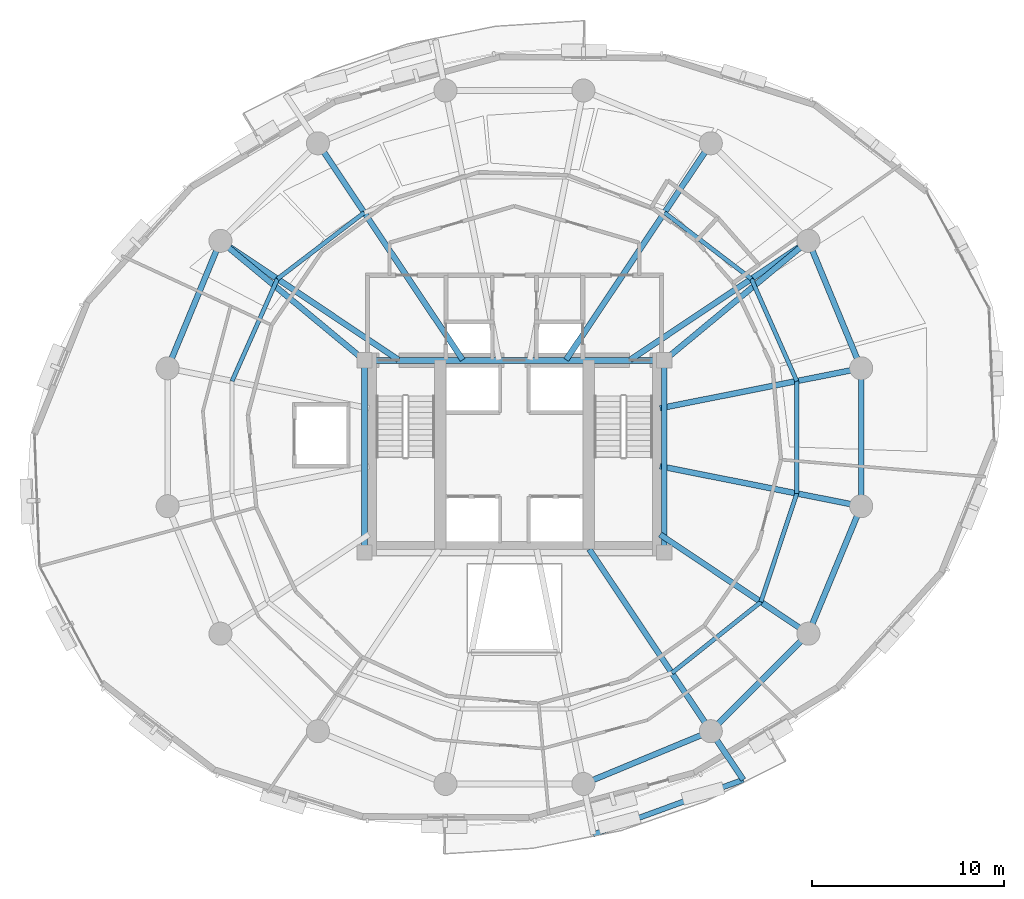
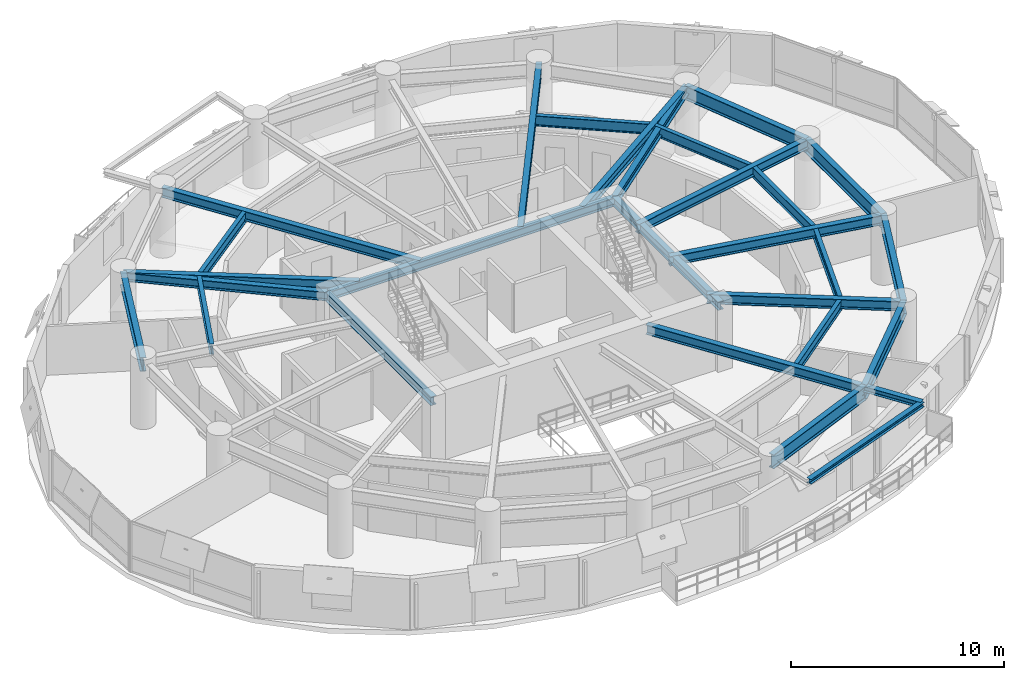
# One storey, part 5 of 15: 28 beams.
"""IFC4 building model written with IfcOpenShell, lengths in metres."""

from ifc_helpers import new_model, si_unit, direction, frame, origin, origin_2d, place, context, subcontext, project, spatial, i_section, extrude, material, material_profile, profile_set, type_object, element, save


model = new_model("IFC4")

# Units and contexts
model_context = context("Model", 3, precision=1e-05, world=origin(), true_north=direction((0.0, 1.0)))
body_context = subcontext(model_context, "Body", "Model", "MODEL_VIEW")
ifc_project = project(units=[si_unit("LENGTHUNIT", "METRE"), si_unit("AREAUNIT", "SQUARE_METRE"), si_unit("VOLUMEUNIT", "CUBIC_METRE"), si_unit("PLANEANGLEUNIT", "RADIAN"), si_unit("MASSUNIT", "GRAM", prefix="KILO"), si_unit("THERMODYNAMICTEMPERATUREUNIT", "KELVIN"), si_unit("POWERUNIT", "WATT")], contexts=[model_context])

# Site, building, storey
site_placement = place(None, origin())
site = spatial("IfcSite", under=ifc_project, at=site_placement, CompositionType="ELEMENT")
building_placement = place(site_placement, origin())
building = spatial("IfcBuilding", under=site, at=building_placement, Name="Ocrelia Relay Tower", CompositionType="ELEMENT")
storey_placement = place(building_placement, frame((0.0, 0.0, 97.800048828125)))
storey = spatial("IfcBuildingStorey", under=building, at=storey_placement, Name="L22", CompositionType="ELEMENT", Elevation=97.800048828125)

# Beams
ifc_material = material(Name="Steel S355", Category="steel")
ifc_material_profile_1 = material_profile(ifc_material, i_section(OverallWidth=0.280029296875, OverallDepth=0.27001953125, WebThickness=0.008056640625, FlangeThickness=0.012939453125, FilletRadius=0.02392578125, at=origin_2d()), Name="HEA 280")
ifc_profile_set_1 = profile_set([ifc_material_profile_1], Name="Steel S355")
beam_type_1 = type_object("IfcBeamType", Name="BM-HEA280", PredefinedType="BEAM", material=ifc_profile_set_1)
beam_1_placement = place(storey_placement, frame((38.1123046875, 5.325927734375, 3.5849609375), z_axis=(0.939316865284, 0.343050763873, 0.0), x_axis=(-0.343050763873, 0.939316865284, 0.0)))
element("IfcBeam", 1, at=beam_1_placement, inside=storey, type_object=beam_type_1, Name="L23 Balcony Edge Trimmer Beam B2", PredefinedType="BEAM", context=body_context, shape_type="SweptSolid", body=[
    extrude(i_section(OverallWidth=0.280029296875, OverallDepth=0.27001953125, WebThickness=0.008056640625, FlangeThickness=0.012939453125, FilletRadius=0.02392578125, at=origin_2d()), origin(), (0.0, 0.0, 1.0), 8.302490234375),
])
ifc_material_profile_2 = material_profile(ifc_material, i_section(OverallWidth=0.300048828125, OverallDepth=0.330078125, WebThickness=0.009521484375, FlangeThickness=0.0166015625, FilletRadius=0.027099609375, at=origin_2d()), Name="HEA 340")
ifc_profile_set_2 = profile_set([ifc_material_profile_2], Name="Steel S355")
beam_type_2 = type_object("IfcBeamType", Name="BM-HEA340", PredefinedType="BEAM", material=ifc_profile_set_2)
beam_2_placement = place(storey_placement, frame((44.222412109375, 10.700927734375, 3.554931640625), z_axis=(0.5555897322, -0.831456583036, 0.0), x_axis=(0.831456583036, 0.5555897322, 0.0)))
element("IfcBeam", 2, at=beam_2_placement, inside=storey, type_object=beam_type_2, Name="L23 Balcony Cantilever Beam B2-2", PredefinedType="BEAM", context=body_context, shape_type="SweptSolid", body=[
    extrude(i_section(OverallWidth=0.300048828125, OverallDepth=0.330078125, WebThickness=0.009521484375, FlangeThickness=0.0166015625, FilletRadius=0.027099609375, at=origin_2d()), origin(), (0.0, 0.0, 1.0), 3.0390625),
])
ifc_material_profile_3 = material_profile(ifc_material, i_section(OverallWidth=0.300048828125, OverallDepth=0.5, WebThickness=0.014404296875, FlangeThickness=0.028076171875, FilletRadius=0.027099609375, at=origin_2d()), Name="HEB 500")
ifc_profile_set_3 = profile_set([ifc_material_profile_3], Name="Steel S355")
beam_type_3 = type_object("IfcBeamType", Name="BM-HEB500", PredefinedType="BEAM", material=ifc_profile_set_3)
beam_3_placement = place(storey_placement, frame((26.199951171875, 30.0, 3.469970703125), z_axis=(1.0, 0.0, 0.0), x_axis=(0.0, 1.0, 0.0)))
element("IfcBeam", 3, at=beam_3_placement, inside=storey, type_object=beam_type_3, Name="L22 Core Pilaster Tie Beam N", PredefinedType="BEAM", context=body_context, shape_type="SweptSolid", body=[
    extrude(i_section(OverallWidth=0.300048828125, OverallDepth=0.5, WebThickness=0.014404296875, FlangeThickness=0.028076171875, FilletRadius=0.027099609375, at=origin_2d()), origin(), (0.0, 0.0, 1.0), 15.60009765625),
])
for number, where, z_axis, x_axis, name in (
    (4, (26.199951171875, 20.0, 3.469970703125), (0.0, 1.0, 0.0), (-1.0, 0.0, 0.0), "L22 Core Pilaster Tie Beam W"),
    (5, (41.800048828125, 20.0, 3.469970703125), (0.0, 1.0, 0.0), (-1.0, 0.0, 0.0), "L22 Core Pilaster Tie Beam E"),
):
    element("IfcBeam", number, at=place(storey_placement, frame(where, z_axis=z_axis, x_axis=x_axis)), inside=storey, type_object=beam_type_3, Name=name, PredefinedType="BEAM", context=body_context, shape_type="SweptSolid", body=[
        extrude(i_section(OverallWidth=0.300048828125, OverallDepth=0.5, WebThickness=0.014404296875, FlangeThickness=0.028076171875, FilletRadius=0.027099609375, at=origin_2d()), origin(), (0.0, 0.0, 1.0), 10.0),
    ])
for number, where, z_axis, x_axis, name in (
    (6, (49.299072265625, 36.222412109375, 3.469970703125), (-0.769570862751, -0.638561420072, 0.0), (0.638561420072, -0.769570862751, 0.0), "L22 Core Pilaster Frame Tie Beam PT02"),
    (7, (18.700927734375, 36.222412109375, 3.469970703125), (0.769570862751, -0.638561420072, 0.0), (0.638561420072, 0.769570862751, 0.0), "L22 Core Pilaster Frame Tie Beam PT07"),
):
    element("IfcBeam", number, at=place(storey_placement, frame(where, z_axis=z_axis, x_axis=x_axis)), inside=storey, type_object=beam_type_3, Name=name, PredefinedType="BEAM", context=body_context, shape_type="SweptSolid", body=[
        extrude(i_section(OverallWidth=0.300048828125, OverallDepth=0.5, WebThickness=0.014404296875, FlangeThickness=0.028076171875, FilletRadius=0.027099609375, at=origin_2d()), origin(), (0.0, 0.0, 1.0), 9.744384765625),
    ])
ifc_material_profile_4 = material_profile(ifc_material, i_section(OverallWidth=0.300048828125, OverallDepth=0.550048828125, WebThickness=0.014892578125, FlangeThickness=0.029052734375, FilletRadius=0.027099609375, at=origin_2d()), Name="HEB 550")
ifc_profile_set_4 = profile_set([ifc_material_profile_4], Name="Steel S355")
beam_type_4 = type_object("IfcBeamType", Name="BM-HEB550", PredefinedType="BEAM", material=ifc_profile_set_4)
beam_4_placement = place(storey_placement, frame((52.04638671875, 29.589599609375, 3.445068359375), z_axis=(-0.980786914024, -0.195082109071, 0.0), x_axis=(0.195082109071, -0.980786914024, 0.0)))
element("IfcBeam", 8, at=beam_4_placement, inside=storey, type_object=beam_type_4, Name="L22 Radial Floor Girder R01", PredefinedType="BEAM", context=body_context, shape_type="SweptSolid", body=[
    extrude(i_section(OverallWidth=0.300048828125, OverallDepth=0.550048828125, WebThickness=0.014892578125, FlangeThickness=0.029052734375, FilletRadius=0.027099609375, at=origin_2d()), origin(), (0.0, 0.0, 1.0), 10.67138671875),
])
beam_5_placement = place(storey_placement, frame((49.299072265625, 36.222412109375, 3.445068359375), z_axis=(-0.83147699108, -0.555559189741, 0.0), x_axis=(0.555559189741, -0.83147699108, 0.0)))
element("IfcBeam", 9, at=beam_5_placement, inside=storey, type_object=beam_type_4, Name="L22 Radial Floor Girder R02", PredefinedType="BEAM", context=body_context, shape_type="SweptSolid", body=[
    extrude(i_section(OverallWidth=0.300048828125, OverallDepth=0.550048828125, WebThickness=0.014892578125, FlangeThickness=0.029052734375, FilletRadius=0.027099609375, at=origin_2d()), origin(), (0.0, 0.0, 1.0), 11.146240234375),
])
for number, where, z_axis, x_axis, name in (
    (10, (44.222412109375, 41.299072265625, 3.445068359375), (-0.555560399988, -0.83147618244, 0.0), (0.83147618244, -0.555560399988, 0.0), "L22 Radial Floor Girder R03"),
    (11, (23.777587890625, 41.299072265625, 3.445068359375), (0.555560399988, -0.83147618244, 0.0), (0.83147618244, 0.555560399988, 0.0), "L22 Radial Floor Girder R06"),
):
    element("IfcBeam", number, at=place(storey_placement, frame(where, z_axis=z_axis, x_axis=x_axis)), inside=storey, type_object=beam_type_4, Name=name, PredefinedType="BEAM", context=body_context, shape_type="SweptSolid", body=[
        extrude(i_section(OverallWidth=0.300048828125, OverallDepth=0.550048828125, WebThickness=0.014892578125, FlangeThickness=0.029052734375, FilletRadius=0.027099609375, at=origin_2d()), origin(), (0.0, 0.0, 1.0), 13.552978515625),
    ])
beam_6_placement = place(storey_placement, frame((18.700927734375, 36.222412109375, 3.445068359375), z_axis=(0.83147699108, -0.555559189741, 0.0), x_axis=(0.555559189741, 0.83147699108, 0.0)))
element("IfcBeam", 12, at=beam_6_placement, inside=storey, type_object=beam_type_4, Name="L22 Radial Floor Girder R07", PredefinedType="BEAM", context=body_context, shape_type="SweptSolid", body=[
    extrude(i_section(OverallWidth=0.300048828125, OverallDepth=0.550048828125, WebThickness=0.014892578125, FlangeThickness=0.029052734375, FilletRadius=0.027099609375, at=origin_2d()), origin(), (0.0, 0.0, 1.0), 11.146240234375),
])
beam_7_placement = place(storey_placement, frame((44.222412109375, 10.700927734375, 3.445068359375), z_axis=(-0.555565661158, 0.831472667105, 0.0), x_axis=(-0.831472667105, -0.555565661158, 0.0)))
element("IfcBeam", 13, at=beam_7_placement, inside=storey, type_object=beam_type_4, Name="L22 Radial Floor Girder R14", PredefinedType="BEAM", context=body_context, shape_type="SweptSolid", body=[
    extrude(i_section(OverallWidth=0.300048828125, OverallDepth=0.550048828125, WebThickness=0.014892578125, FlangeThickness=0.029052734375, FilletRadius=0.027099609375, at=origin_2d()), origin(), (0.0, 0.0, 1.0), 11.38818359375),
])
beam_8_placement = place(storey_placement, frame((49.299072265625, 15.777587890625, 3.445068359375), z_axis=(-0.8314672312, 0.555573796575, 0.0), x_axis=(-0.555573796575, -0.8314672312, 0.0)))
element("IfcBeam", 14, at=beam_8_placement, inside=storey, type_object=beam_type_4, Name="L22 Radial Floor Girder R15", PredefinedType="BEAM", context=body_context, shape_type="SweptSolid", body=[
    extrude(i_section(OverallWidth=0.300048828125, OverallDepth=0.550048828125, WebThickness=0.014892578125, FlangeThickness=0.029052734375, FilletRadius=0.027099609375, at=origin_2d()), origin(), (0.0, 0.0, 1.0), 9.28369140625),
])
beam_9_placement = place(storey_placement, frame((52.04638671875, 22.410400390625, 3.445068359375), z_axis=(-0.980786914024, 0.195082109071, 0.0), x_axis=(-0.195082109071, -0.980786914024, 0.0)))
element("IfcBeam", 15, at=beam_9_placement, inside=storey, type_object=beam_type_4, Name="L22 Radial Floor Girder R16", PredefinedType="BEAM", context=body_context, shape_type="SweptSolid", body=[
    extrude(i_section(OverallWidth=0.300048828125, OverallDepth=0.550048828125, WebThickness=0.014892578125, FlangeThickness=0.029052734375, FilletRadius=0.027099609375, at=origin_2d()), origin(), (0.0, 0.0, 1.0), 10.67138671875),
])
ifc_material_profile_5 = material_profile(ifc_material, i_section(OverallWidth=0.300048828125, OverallDepth=0.800048828125, WebThickness=0.017578125, FlangeThickness=0.032958984375, FilletRadius=0.030029296875, at=origin_2d()), Name="HEB 800")
ifc_profile_set_5 = profile_set([ifc_material_profile_5], Name="Steel S355")
beam_type_5 = type_object("IfcBeamType", Name="BM-HEB800", PredefinedType="BEAM", material=ifc_profile_set_5)
for number, where, z_axis, x_axis, name in (
    (16, (52.04638671875, 29.589599609375, 3.320068359375), (-0.382673155247, 0.923883789366, 0.0), (-0.923883789366, -0.382673155247, 0.0), "L22 Perimeter Spandrel Beam S01"),
    (17, (18.700927734375, 36.222412109375, 3.320068359375), (-0.382673155247, -0.923883789366, 0.0), (0.923883789366, -0.382673155247, 0.0), "L22 Perimeter Spandrel Beam S07"),
    (18, (37.589599609375, 7.95361328125, 3.320068359375), (0.923883789366, 0.382673155247, 0.0), (-0.382673155247, 0.923883789366, 0.0), "L22 Perimeter Spandrel Beam S13"),
):
    element("IfcBeam", number, at=place(storey_placement, frame(where, z_axis=z_axis, x_axis=x_axis)), inside=storey, type_object=beam_type_5, Name=name, PredefinedType="BEAM", context=body_context, shape_type="SweptSolid", body=[
        extrude(i_section(OverallWidth=0.300048828125, OverallDepth=0.800048828125, WebThickness=0.017578125, FlangeThickness=0.032958984375, FilletRadius=0.030029296875, at=origin_2d()), origin(), (0.0, 0.0, 1.0), 7.17919921875),
    ])
beam_10_placement = place(storey_placement, frame((44.222412109375, 10.700927734375, 3.320068359375), z_axis=(0.707106781187, 0.707106781187, 0.0), x_axis=(-0.707106781187, 0.707106781187, 0.0)))
element("IfcBeam", 19, at=beam_10_placement, inside=storey, type_object=beam_type_5, Name="L22 Perimeter Spandrel Beam S14", PredefinedType="BEAM", context=body_context, shape_type="SweptSolid", body=[
    extrude(i_section(OverallWidth=0.300048828125, OverallDepth=0.800048828125, WebThickness=0.017578125, FlangeThickness=0.032958984375, FilletRadius=0.030029296875, at=origin_2d()), origin(), (0.0, 0.0, 1.0), 7.179443359375),
])
for number, where, z_axis, x_axis, name in (
    (20, (49.299072265625, 15.777587890625, 3.320068359375), (0.382673155247, 0.923883789366, 0.0), (-0.923883789366, 0.382673155247, 0.0), "L22 Perimeter Spandrel Beam S15"),
    (21, (52.04638671875, 22.410400390625, 3.320068359375), (0.0, 1.0, 0.0), (-1.0, 0.0, 0.0), "L22 Perimeter Spandrel Beam S16"),
):
    element("IfcBeam", number, at=place(storey_placement, frame(where, z_axis=z_axis, x_axis=x_axis)), inside=storey, type_object=beam_type_5, Name=name, PredefinedType="BEAM", context=body_context, shape_type="SweptSolid", body=[
        extrude(i_section(OverallWidth=0.300048828125, OverallDepth=0.800048828125, WebThickness=0.017578125, FlangeThickness=0.032958984375, FilletRadius=0.030029296875, at=origin_2d()), origin(), (0.0, 0.0, 1.0), 7.17919921875),
    ])
ifc_material_profile_6 = material_profile(ifc_material, i_section(OverallWidth=0.219970703125, OverallDepth=0.60009765625, WebThickness=0.011962890625, FlangeThickness=0.01904296875, FilletRadius=0.02392578125, at=origin_2d()), Name="IPE 600")
ifc_profile_set_6 = profile_set([ifc_material_profile_6], Name="Steel S355")
beam_type_6 = type_object("IfcBeamType", Name="BM-IPE600", PredefinedType="JOIST", material=ifc_profile_set_6)
beam_11_placement = place(storey_placement, frame((48.697265625, 28.923583984375, 3.419921875), z_axis=(-0.406243565397, 0.913764830563, 0.0), x_axis=(-0.913764830563, -0.406243565397, 0.0)))
element("IfcBeam", 22, at=beam_11_placement, inside=storey, type_object=beam_type_6, Name="L22 Secondary Floor Joist J01", PredefinedType="JOIST", context=body_context, shape_type="SweptSolid", body=[
    extrude(i_section(OverallWidth=0.219970703125, OverallDepth=0.60009765625, WebThickness=0.011962890625, FlangeThickness=0.01904296875, FilletRadius=0.02392578125, at=origin_2d()), origin(), (0.0, 0.0, 1.0), 5.819091796875),
])
for number, where, z_axis, x_axis, name in (
    (23, (46.333251953125, 34.240966796875, 3.419921875), (-0.794762167004, 0.60692099807, 0.0), (-0.60692099807, -0.794762167004, 0.0), "L22 Secondary Floor Joist J02"),
    (24, (26.18701171875, 37.69287109375, 3.419921875), (-0.794762167004, -0.60692099807, 0.0), (0.60692099807, -0.794762167004, 0.0), "L22 Secondary Floor Joist J06"),
):
    element("IfcBeam", number, at=place(storey_placement, frame(where, z_axis=z_axis, x_axis=x_axis)), inside=storey, type_object=beam_type_6, Name=name, PredefinedType="JOIST", context=body_context, shape_type="SweptSolid", body=[
        extrude(i_section(OverallWidth=0.219970703125, OverallDepth=0.60009765625, WebThickness=0.011962890625, FlangeThickness=0.01904296875, FilletRadius=0.02392578125, at=origin_2d()), origin(), (0.0, 0.0, 1.0), 5.6875),
    ])
beam_12_placement = place(storey_placement, frame((21.666748046875, 34.240966796875, 3.419921875), z_axis=(-0.405741333342, -0.913987948727, 0.0), x_axis=(0.913987948727, -0.405741333342, 0.0)))
element("IfcBeam", 25, at=beam_12_placement, inside=storey, type_object=beam_type_6, Name="L22 Secondary Floor Joist J07", PredefinedType="JOIST", context=body_context, shape_type="SweptSolid", body=[
    extrude(i_section(OverallWidth=0.219970703125, OverallDepth=0.60009765625, WebThickness=0.011962890625, FlangeThickness=0.01904296875, FilletRadius=0.02392578125, at=origin_2d()), origin(), (0.0, 0.0, 1.0), 5.818603515625),
])
beam_13_placement = place(storey_placement, frame((42.197998046875, 13.731201171875, 3.419921875), z_axis=(0.781519577804, 0.623880717372, 0.0), x_axis=(-0.623880717372, 0.781519577804, 0.0)))
element("IfcBeam", 26, at=beam_13_placement, inside=storey, type_object=beam_type_6, Name="L22 Secondary Floor Joist J14", PredefinedType="JOIST", context=body_context, shape_type="SweptSolid", body=[
    extrude(i_section(OverallWidth=0.219970703125, OverallDepth=0.60009765625, WebThickness=0.011962890625, FlangeThickness=0.01904296875, FilletRadius=0.02392578125, at=origin_2d()), origin(), (0.0, 0.0, 1.0), 5.925537109375),
])
beam_14_placement = place(storey_placement, frame((46.828857421875, 17.427978515625, 3.419921875), z_axis=(0.314047924314, 0.949407131443, 0.0), x_axis=(-0.949407131443, 0.314047924314, 0.0)))
element("IfcBeam", 27, at=beam_14_placement, inside=storey, type_object=beam_type_6, Name="L22 Secondary Floor Joist J15", PredefinedType="JOIST", context=body_context, shape_type="SweptSolid", body=[
    extrude(i_section(OverallWidth=0.219970703125, OverallDepth=0.60009765625, WebThickness=0.011962890625, FlangeThickness=0.01904296875, FilletRadius=0.02392578125, at=origin_2d()), origin(), (0.0, 0.0, 1.0), 5.949462890625),
])
beam_15_placement = place(storey_placement, frame((48.697265625, 23.076416015625, 3.419921875), z_axis=(0.0, 1.0, 0.0), x_axis=(-1.0, 0.0, 0.0)))
element("IfcBeam", 28, at=beam_15_placement, inside=storey, type_object=beam_type_6, Name="L22 Secondary Floor Joist J16", PredefinedType="JOIST", context=body_context, shape_type="SweptSolid", body=[
    extrude(i_section(OverallWidth=0.219970703125, OverallDepth=0.60009765625, WebThickness=0.011962890625, FlangeThickness=0.01904296875, FilletRadius=0.02392578125, at=origin_2d()), origin(), (0.0, 0.0, 1.0), 5.84716796875),
])

save(model, "model.ifc")
